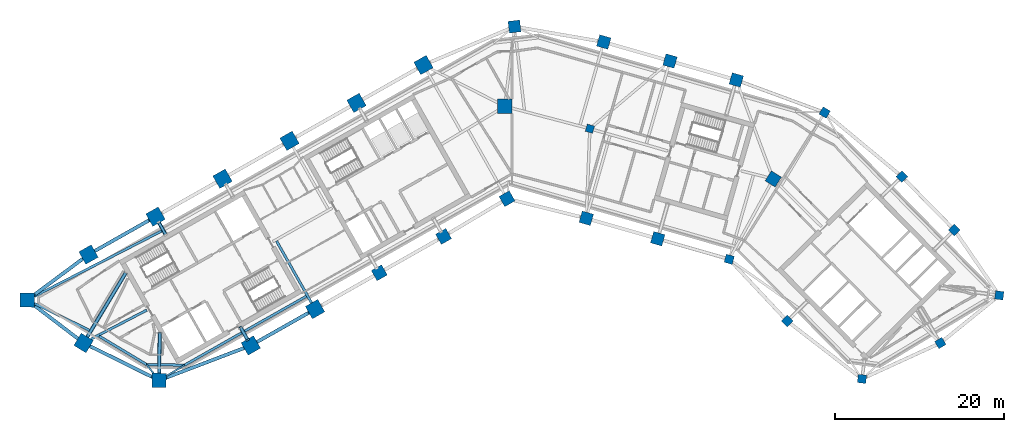
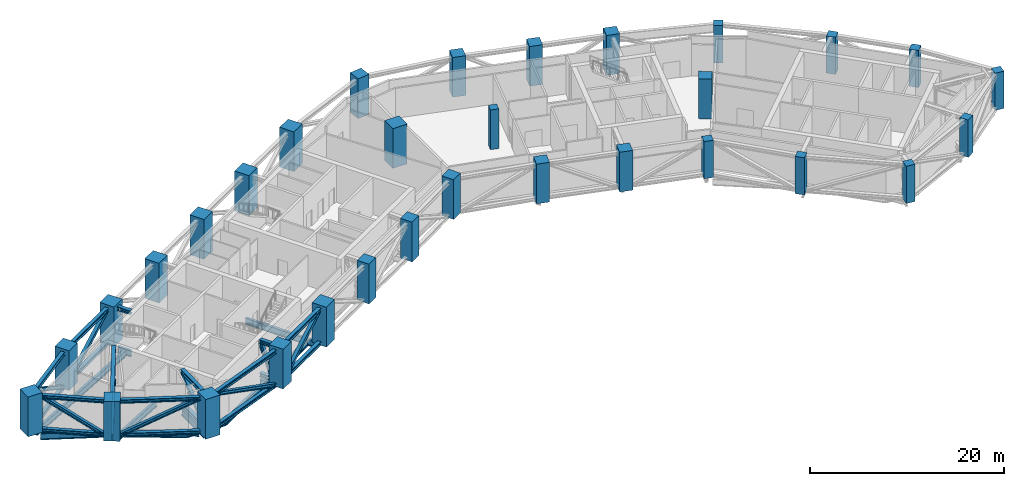
# One storey, part 1 of 16: 31 columns, 28 members, 15 beams.
"""IFC4 building model written with IfcOpenShell, lengths in metres."""

import ifcopenshell
import ifcopenshell.guid

model = None  # the IFC model being written
_history = None  # IfcOwnerHistory: only IFC2X3 demands one
_inside = {}  # id of a spatial element -> (the spatial element, [elements in it])
_under = {}  # id of a project, library or spatial element -> (it, [spatial elements below it])
_declared = {}  # id of a project -> (the project, [libraries it declares])
_typed = {}  # id of a type object -> (the type object, [elements of that type])
_made_of = {}  # id of a material, layer set ... -> (it, [elements and type objects made of it])


def new_model(schema):
    """Start an empty IFC model of exactly this schema.

    Asked for "IFC4X3", IfcOpenShell would pick the latest addendum, in which some entities
    have other attributes; the version numbers below select the first issue.
    IFC2X3 requires an IfcOwnerHistory on every rooted entity: one is made here for all.
    """
    global model, _history
    if schema == "IFC4X3":
        model = ifcopenshell.file(schema_version=(4, 3, 0, 0))
    else:
        model = ifcopenshell.file(schema=schema)
    _inside.clear()
    _under.clear()
    _declared.clear()
    _typed.clear()
    _made_of.clear()
    _history = None
    if model.schema == "IFC2X3":
        org = make("IfcOrganization", Name="unknown")
        user = make(
            "IfcPersonAndOrganization",
            ThePerson=make("IfcPerson", FamilyName="unknown"),
            TheOrganization=org,
        )
        app = make(
            "IfcApplication",
            ApplicationDeveloper=org,
            Version="unknown",
            ApplicationFullName="unknown",
            ApplicationIdentifier="unknown",
        )
        _history = make(
            "IfcOwnerHistory",
            OwningUser=user,
            OwningApplication=app,
            ChangeAction="ADDED",
            CreationDate=0,
        )
    return model


def make(cls, **values):
    """One entity of the class cls with the attributes given. An attribute that is None is left unset."""
    return model.create_entity(
        cls, **{name: value for name, value in values.items() if value is not None}
    )


def rooted(cls, **values):
    """An entity with a GlobalId (a new one), such as an element, a storey or a relation."""
    return make(cls, GlobalId=ifcopenshell.guid.new(), OwnerHistory=_history, **values)


def si_unit(unit_type, name, prefix=None):
    """IfcSIUnit, for example si_unit("LENGTHUNIT", "METRE", prefix="MILLI")."""
    return make("IfcSIUnit", UnitType=unit_type, Prefix=prefix, Name=name)


def assignment(units):
    """IfcUnitAssignment: the units of a project."""
    return None if units is None else make("IfcUnitAssignment", Units=units)


def point(xyz):
    """IfcCartesianPoint."""
    return None if xyz is None else make("IfcCartesianPoint", Coordinates=xyz)


def direction(xyz):
    """IfcDirection."""
    return None if xyz is None else make("IfcDirection", DirectionRatios=xyz)


def frame(location, z_axis=None, x_axis=None):
    """IfcAxis2Placement3D, a coordinate frame: its origin and axes. An axis left out is left unset."""
    return make(
        "IfcAxis2Placement3D",
        Location=point(location),
        Axis=direction(z_axis),
        RefDirection=direction(x_axis),
    )


def frame_2d(location, x_axis=None):
    """IfcAxis2Placement2D, a coordinate frame in the plane: its origin and x axis."""
    return make(
        "IfcAxis2Placement2D", Location=point(location), RefDirection=direction(x_axis)
    )


def origin():
    """The frame at (0, 0, 0) with its axes left unset."""
    return frame((0.0, 0.0, 0.0))


def origin_2d():
    """The frame at (0, 0) in the plane with its x axis left unset."""
    return frame_2d((0.0, 0.0))


def place(relative_to, where):
    """IfcLocalPlacement: puts the frame where relative to a parent placement (None: the world)."""
    return make(
        "IfcLocalPlacement", PlacementRelTo=relative_to, RelativePlacement=where
    )


def context(
    kind, dimensions, precision=None, world=None, true_north=None, identifier=None
):
    """IfcGeometricRepresentationContext, for example the 3D "Model" context."""
    return make(
        "IfcGeometricRepresentationContext",
        ContextIdentifier=identifier,
        ContextType=kind,
        CoordinateSpaceDimension=dimensions,
        Precision=precision,
        WorldCoordinateSystem=world,
        TrueNorth=true_north,
    )


def subcontext(parent, identifier, kind, view, scale=None):
    """IfcGeometricRepresentationSubContext, for example "Body" below "Model"."""
    return make(
        "IfcGeometricRepresentationSubContext",
        ContextIdentifier=identifier,
        ContextType=kind,
        ParentContext=parent,
        TargetScale=scale,
        TargetView=view,
    )


def project(units=None, contexts=None):
    """IfcProject with its units and contexts."""
    return rooted(
        "IfcProject",
        Name="project",
        RepresentationContexts=contexts,
        UnitsInContext=assignment(units),
    )


def spatial(cls, under=None, at=None, **own):
    """A site, building, storey or space (cls), placed at a placement, below another one or the project."""
    s = rooted(cls, ObjectPlacement=at, **own)
    if under is not None:
        _under.setdefault(under.id(), (under, []))[1].append(s)
    return s


def profile(cls, at=None, kind="AREA", **sizes):
    """A parametric profile (cls). Its sizes go by their IFC names, for example OverallWidth=200.0."""
    return make(cls, ProfileType=kind, Position=at, **sizes)


def rectangle(**sizes):
    """IfcRectangleProfileDef."""
    return profile("IfcRectangleProfileDef", **sizes)


def i_section(**sizes):
    """IfcIShapeProfileDef."""
    return profile("IfcIShapeProfileDef", **sizes)


def extrude(swept, where, along, depth):
    """IfcExtrudedAreaSolid: the profile swept, set in the frame where, extruded along a direction by depth."""
    return make(
        "IfcExtrudedAreaSolid",
        SweptArea=swept,
        Position=where,
        ExtrudedDirection=direction(along),
        Depth=depth,
    )


def shape(context_of_items, identifier, shape_type, items):
    """IfcShapeRepresentation: the items that make up one representation, for example the "Body"."""
    return make(
        "IfcShapeRepresentation",
        ContextOfItems=context_of_items,
        RepresentationIdentifier=identifier,
        RepresentationType=shape_type,
        Items=items,
    )


def material(Name=None, Category=None):
    """IfcMaterial."""
    return make("IfcMaterial", Name=Name, Category=Category)


def material_profile(
    of_material, cross_section, Name=None, Category=None, Priority=None
):
    """IfcMaterialProfile: a cross section and its material."""
    return make(
        "IfcMaterialProfile",
        Name=Name,
        Material=of_material,
        Profile=cross_section,
        Priority=Priority,
        Category=Category,
    )


def profile_set(profiles, Name=None, composite=None):
    """IfcMaterialProfileSet."""
    return make(
        "IfcMaterialProfileSet",
        Name=Name,
        MaterialProfiles=profiles,
        CompositeProfile=composite,
    )


def made_of(thing, what):
    """Note that an element or type object is made of a material, layer set ...; save() writes the relation."""
    if what is not None:
        _made_of.setdefault(what.id(), (what, []))[1].append(thing)
    return thing


def type_object(cls, material=None, **own):
    """A type object (cls), such as IfcWallType, which elements share."""
    return made_of(rooted(cls, **own), material)


def element(
    cls,
    number,
    at=None,
    inside=None,
    cuts=None,
    type_object=None,
    material=None,
    context=None,
    identifier="Body",
    shape_type=None,
    held_by="IfcProductDefinitionShape",
    body=None,
    shapes=None,
    **own,
):
    """One element of the class cls, such as IfcWall. Its Tag is "e" and its number.

    at: its placement. inside: the storey or other place that contains it. cuts: it is an
    opening in that element (IfcRelVoidsElement). A single representation is given by context,
    identifier, shape_type and body (its items); several are given by shapes. held_by: the class
    of the entity that holds the representations. save() writes the other relations.
    """
    e = rooted(cls, Tag="e%d" % number, ObjectPlacement=at, **own)
    if body is not None:
        shapes = [shape(context, identifier, shape_type, body)]
    if shapes is not None:
        e.Representation = make(held_by, Representations=shapes)
    if inside is not None:
        _inside.setdefault(inside.id(), (inside, []))[1].append(e)
    if cuts is not None:
        rooted(
            "IfcRelVoidsElement", RelatingBuildingElement=cuts, RelatedOpeningElement=e
        )
    if type_object is not None:
        _typed.setdefault(type_object.id(), (type_object, []))[1].append(e)
    return made_of(e, material)


def aggregate(whole, parts):
    """IfcRelAggregates: a whole, such as a stair, and the parts it consists of."""
    return rooted("IfcRelAggregates", RelatingObject=whole, RelatedObjects=parts)


def save(model, path):
    """Write the relations noted so far, then the file.

    IfcRelAggregates (storeys below a building ...), IfcRelContainedInSpatialStructure (elements
    in a storey), IfcRelDefinesByType, IfcRelAssociatesMaterial and IfcRelDeclares: one each for
    every whole, place, type object, material and project.
    """
    for whole, parts in _under.values():
        aggregate(whole, parts)
    for where, things in _inside.values():
        rooted(
            "IfcRelContainedInSpatialStructure",
            RelatedElements=things,
            RelatingStructure=where,
        )
    for kind, things in _typed.values():
        rooted("IfcRelDefinesByType", RelatedObjects=things, RelatingType=kind)
    for what, things in _made_of.values():
        rooted("IfcRelAssociatesMaterial", RelatedObjects=things, RelatingMaterial=what)
    for by, libraries in _declared.values():
        rooted("IfcRelDeclares", RelatingContext=by, RelatedDefinitions=libraries)
    model.write(path)


model = new_model("IFC4")

# Units and contexts
model_context = context("Model", 3, precision=1e-05, world=origin(), true_north=direction((0.0, 1.0)))
body_context = subcontext(model_context, "Body", "Model", "MODEL_VIEW")
ifc_project = project(units=[si_unit("LENGTHUNIT", "METRE"), si_unit("AREAUNIT", "SQUARE_METRE"), si_unit("VOLUMEUNIT", "CUBIC_METRE"), si_unit("PLANEANGLEUNIT", "RADIAN"), si_unit("MASSUNIT", "GRAM", prefix="KILO")], contexts=[model_context])

# Site, building, storey
site_placement = place(None, origin())
site = spatial("IfcSite", under=ifc_project, at=site_placement, CompositionType="ELEMENT")
building_placement = place(site_placement, origin())
building = spatial("IfcBuilding", under=site, at=building_placement, Name="Binnacle Exchange Tower", CompositionType="ELEMENT")
storey_placement = place(building_placement, frame((0.0, 0.0, 149.89990234375)))
storey = spatial("IfcBuildingStorey", under=building, at=storey_placement, Name="L31", CompositionType="ELEMENT", Elevation=149.89990234375)

# Columns
ifc_material_1 = material(Name="Concrete C60/75", Category="concrete")
ifc_material_profile_1 = material_profile(ifc_material_1, rectangle(XDim=0.89990234375, YDim=0.89990234375, at=origin_2d()), Name="Column 900x900 C60/75")
ifc_profile_set_1 = profile_set([ifc_material_profile_1], Name="Concrete C60/75")
column_type_1 = type_object("IfcColumnType", Name="Column 900x900 C60/75", PredefinedType="COLUMN", material=ifc_profile_set_1)
column_placement = place(storey_placement, frame((9.240966796875, 57.35009765625, 0.0), z_axis=(0.0, 0.0, 1.0), x_axis=(0.961261695938, -0.275637355817, 0.0)))
element("IfcColumn", 1, at=column_placement, inside=storey, type_object=column_type_1, Name="S:COL:C19:L31", PredefinedType="COLUMN", context=body_context, shape_type="SweptSolid", body=[
    extrude(rectangle(XDim=0.89990234375, YDim=0.89990234375, at=origin_2d()), origin(), (0.0, 0.0, 1.0), 5.0),
])
ifc_material_2 = material(Name="Concrete C70/85", Category="concrete")
ifc_material_profile_2 = material_profile(ifc_material_2, rectangle(XDim=1.0, YDim=1.0, at=origin_2d()), Name="Mega column 1000x1000 C70/85")
ifc_profile_set_2 = profile_set([ifc_material_profile_2], Name="Concrete C70/85")
column_type_2 = type_object("IfcColumnType", Name="Mega column 1000x1000 C70/85", PredefinedType="COLUMN", material=ifc_profile_set_2)
for number, where, z_axis, x_axis, name in (
    (2, (37.0849609375, 59.262451171875, 0.0), (0.0, 0.0, 1.0), (-0.859406411501, 0.511293086077, 0.0), "S:COL:MC57:L31"),
    (3, (25.766845703125, 41.85986328125, 0.0), (0.0, 0.0, 1.0), (0.961261695938, -0.275637355817, 0.0), "S:COL:MC56:L31"),
    (4, (32.64111328125, 34.530029296875, 0.0), (0.0, 0.0, 1.0), (0.7009092643, -0.713250449154, 0.0), "S:COL:MC59:L31"),
    (5, (41.519775390625, 27.6748046875, 0.0), (0.0, 0.0, 1.0), (0.99200494968, -0.126198969136, 0.0), "S:COL:MC61:L31"),
    (6, (50.81201171875, 31.930908203125, 0.0), (0.0, 0.0, 1.0), (0.857167300702, 0.51503807491, 0.0), "S:COL:MC63:L31"),
    (7, (57.799072265625, 37.5810546875, 0.0), (0.0, 0.0, 1.0), (0.126198969136, 0.99200494968, 0.0), "S:COL:MC62:L31"),
    (8, (52.466796875, 45.33935546875, 0.0), (0.0, 0.0, 1.0), (-0.7009092643, 0.713250449154, 0.0), "S:COL:MC60:L31"),
    (9, (46.248291015625, 51.667236328125, 0.0), (0.0, 0.0, 1.0), (-0.7009092643, 0.713250449154, 0.0), "S:COL:MC58:L31"),
):
    element("IfcColumn", number, at=place(storey_placement, frame(where, z_axis=z_axis, x_axis=x_axis)), inside=storey, type_object=column_type_2, Name=name, PredefinedType="COLUMN", context=body_context, shape_type="SweptSolid", body=[
        extrude(rectangle(XDim=1.0, YDim=1.0, at=origin_2d()), origin(), (0.0, 0.0, 1.0), 4.68017578125),
    ])
ifc_material_profile_3 = material_profile(ifc_material_2, rectangle(XDim=1.39990234375, YDim=1.39990234375, at=origin_2d()), Name="Mega column 1400x1400 C70/85")
ifc_profile_set_3 = profile_set([ifc_material_profile_3], Name="Concrete C70/85")
column_type_3 = type_object("IfcColumnType", Name="Mega column 1400x1400 C70/85", PredefinedType="COLUMN", material=ifc_profile_set_3)
for number, where, z_axis, x_axis, name in (
    (10, (26.602783203125, 63.12353515625, 0.0), (0.0, 0.0, 1.0), (-0.961261695938, 0.275637355817, 0.0), "S:COL:MC52:L31"),
    (11, (18.746337890625, 65.376220703125, 0.0), (0.0, 0.0, 1.0), (-0.961261695938, 0.275637355817, 0.0), "S:COL:MC50:L31"),
    (12, (10.889892578125, 67.62890625, 0.0), (0.0, 0.0, 1.0), (-0.961261695938, 0.275637355817, 0.0), "S:COL:MC48:L31"),
    (13, (0.300048828125, 69.464111328125, 0.0), (0.0, 0.0, 1.0), (-0.993068456955, -0.117537397458, 0.0), "S:COL:MC47:L31"),
    (14, (-15.736328125, 40.257080078125, 0.0), (0.0, 0.0, 1.0), (0.87035569594, 0.492423560103, 0.0), "S:COL:MC24:L31"),
    (15, (-8.116943359375, 44.568115234375, 0.0), (0.0, 0.0, 1.0), (0.87035569594, 0.492423560103, 0.0), "S:COL:MC35:L31"),
    (16, (-0.5908203125, 49.04443359375, 0.0), (0.0, 0.0, 1.0), (0.87035569594, 0.492423560103, 0.0), "S:COL:MC46:L31"),
    (17, (8.8095703125, 46.722412109375, 0.0), (0.0, 0.0, 1.0), (0.961261695938, -0.275637355817, 0.0), "S:COL:MC49:L31"),
    (18, (17.2880859375, 44.291015625, 0.0), (0.0, 0.0, 1.0), (0.961261695938, -0.275637355817, 0.0), "S:COL:MC51:L31"),
    (19, (30.989501953125, 51.38623046875, 0.0), (0.0, 0.0, 1.0), (0.529919264233, 0.848048096156, 0.0), "S:COL:MC55:L31"),
):
    element("IfcColumn", number, at=place(storey_placement, frame(where, z_axis=z_axis, x_axis=x_axis)), inside=storey, type_object=column_type_3, Name=name, PredefinedType="COLUMN", context=body_context, shape_type="SweptSolid", body=[
        extrude(rectangle(XDim=1.39990234375, YDim=1.39990234375, at=origin_2d()), origin(), (0.0, 0.0, 1.0), 5.0),
    ])
ifc_material_profile_4 = material_profile(ifc_material_2, rectangle(XDim=1.699951171875, YDim=1.699951171875, at=origin_2d()), Name="Mega column 1700x1700 C70/85")
ifc_profile_set_4 = profile_set([ifc_material_profile_4], Name="Concrete C70/85")
column_type_4 = type_object("IfcColumnType", Name="Mega column 1700x1700 C70/85", PredefinedType="COLUMN", material=ifc_profile_set_4)
for number, where, z_axis, x_axis, name in (
    (20, (-10.4951171875, 64.901611328125, 0.0), (0.0, 0.0, 1.0), (-0.87035569594, -0.492423560103, 0.0), "S:COL:MC38:L31"),
    (21, (-18.44140625, 60.406005859375, 0.0), (0.0, 0.0, 1.0), (-0.87035569594, -0.492423560103, 0.0), "S:COL:MC29:L31"),
    (22, (-26.3876953125, 55.91015625, 0.0), (0.0, 0.0, 1.0), (-0.87035569594, -0.492423560103, 0.0), "S:COL:MC21:L31"),
    (23, (-34.333740234375, 51.414306640625, 0.0), (0.0, 0.0, 1.0), (-0.87035569594, -0.492423560103, 0.0), "S:COL:MC13:L31"),
    (24, (-42.280029296875, 46.918701171875, 0.0), (0.0, 0.0, 1.0), (-0.87035569594, -0.492423560103, 0.0), "S:COL:MC08:L31"),
    (25, (-50.226318359375, 42.4228515625, 0.0), (0.0, 0.0, 1.0), (-0.87035569594, -0.492423560103, 0.0), "S:COL:MC04:L31"),
    (26, (-57.492919921875, 37.02734375, 0.0), (0.0, 0.0, 1.0), (-0.013089595571, -0.999914327574, 0.0), "S:COL:MC02:L31"),
    (27, (-50.81201171875, 31.930908203125, 0.0), (0.0, 0.0, 1.0), (0.857167300702, -0.51503807491, 0.0), "S:COL:MC01:L31"),
    (28, (-41.857666015625, 27.494873046875, 0.0), (0.0, 0.0, 1.0), (0.999914327574, -0.013089595571, 0.0), "S:COL:MC03:L31"),
    (29, (-30.9755859375, 31.63525390625, 0.0), (0.0, 0.0, 1.0), (0.87035569594, 0.492423560103, 0.0), "S:COL:MC07:L31"),
    (30, (-23.35595703125, 35.9462890625, 0.0), (0.0, 0.0, 1.0), (0.87035569594, 0.492423560103, 0.0), "S:COL:MC16:L31"),
    (31, (-0.85009765625, 60.0, 0.0), (0.0, 0.0, 1.0), (0.0, 1.0, 0.0), "S:COL:MC45:L31"),
):
    element("IfcColumn", number, at=place(storey_placement, frame(where, z_axis=z_axis, x_axis=x_axis)), inside=storey, type_object=column_type_4, Name=name, PredefinedType="COLUMN", context=body_context, shape_type="SweptSolid", body=[
        extrude(rectangle(XDim=1.699951171875, YDim=1.699951171875, at=origin_2d()), origin(), (0.0, 0.0, 1.0), 5.0),
    ])

# Members
ifc_material_3 = material(Name="Steel S460 (SHN460)", Category="steel")
ifc_material_profile_5 = material_profile(ifc_material_3, i_section(OverallWidth=0.4169921875, OverallDepth=0.4580078125, WebThickness=0.030029296875, FlangeThickness=0.050048828125, FilletRadius=0.02197265625, at=origin_2d()), Name="H 458x417x30x50")
ifc_profile_set_5 = profile_set([ifc_material_profile_5], Name="Steel S460 (SHN460)")
member_type_1 = type_object("IfcMemberType", Name="Belt truss chord BT31C H 458x417x30x50 Steel S460 (SHN460)", PredefinedType="CHORD", material=ifc_profile_set_5)
for number, where, z_axis, x_axis, name in (
    (32, (-43.019775390625, 46.5, 4.451171875), (-0.870364477798, -0.492408037898, 0.0), (0.492408037898, -0.870364477798, 0.0), "S:TR:L31:BEL:028"),
    (33, (-43.019775390625, 46.5, 0.22900390625), (-0.870364477798, -0.492408037898, 0.0), (0.492408037898, -0.870364477798, 0.0), "S:TR:L31:BEL:029"),
):
    element("IfcMember", number, at=place(storey_placement, frame(where, z_axis=z_axis, x_axis=x_axis)), inside=storey, type_object=member_type_1, Name=name, PredefinedType="CHORD", context=body_context, shape_type="SweptSolid", body=[
        extrude(i_section(OverallWidth=0.4169921875, OverallDepth=0.4580078125, WebThickness=0.030029296875, FlangeThickness=0.050048828125, FilletRadius=0.02197265625, at=origin_2d()), origin(), (0.0, 0.0, 1.0), 7.4296875),
    ])
for number, where, z_axis, x_axis, name in (
    (34, (-50.913818359375, 41.912353515625, 4.451171875), (-0.80288535334, -0.59613346609, 0.0), (0.59613346609, -0.80288535334, 0.0), "S:TR:L31:BEL:031"),
    (35, (-50.913818359375, 41.912353515625, 0.22900390625), (-0.80288535334, -0.59613346609, 0.0), (0.59613346609, -0.80288535334, 0.0), "S:TR:L31:BEL:032"),
):
    element("IfcMember", number, at=place(storey_placement, frame(where, z_axis=z_axis, x_axis=x_axis)), inside=storey, type_object=member_type_1, Name=name, PredefinedType="CHORD", context=body_context, shape_type="SweptSolid", body=[
        extrude(i_section(OverallWidth=0.4169921875, OverallDepth=0.4580078125, WebThickness=0.030029296875, FlangeThickness=0.050048828125, FilletRadius=0.02197265625, at=origin_2d()), origin(), (0.0, 0.0, 1.0), 7.125244140625),
    ])
for number, where, z_axis, x_axis, name in (
    (36, (-56.6513671875, 36.38525390625, 4.451171875), (0.795093040263, -0.606487474994, 0.0), (0.606487474994, 0.795093040263, 0.0), "S:TR:L31:BEL:034"),
    (37, (-56.6513671875, 36.38525390625, 0.22900390625), (0.795093040263, -0.606487474994, 0.0), (0.606487474994, 0.795093040263, 0.0), "S:TR:L31:BEL:035"),
):
    element("IfcMember", number, at=place(storey_placement, frame(where, z_axis=z_axis, x_axis=x_axis)), inside=storey, type_object=member_type_1, Name=name, PredefinedType="CHORD", context=body_context, shape_type="SweptSolid", body=[
        extrude(i_section(OverallWidth=0.4169921875, OverallDepth=0.4580078125, WebThickness=0.030029296875, FlangeThickness=0.050048828125, FilletRadius=0.02197265625, at=origin_2d()), origin(), (0.0, 0.0, 1.0), 6.489013671875),
    ])
for number, where, z_axis, x_axis, name in (
    (38, (-50.0478515625, 31.55224609375, 4.451171875), (0.896059216286, -0.443934545749, 0.0), (0.443934545749, 0.896059216286, 0.0), "S:TR:L31:BEL:037"),
    (39, (-50.0478515625, 31.55224609375, 0.22900390625), (0.896059216286, -0.443934545749, 0.0), (0.443934545749, 0.896059216286, 0.0), "S:TR:L31:BEL:038"),
):
    element("IfcMember", number, at=place(storey_placement, frame(where, z_axis=z_axis, x_axis=x_axis)), inside=storey, type_object=member_type_1, Name=name, PredefinedType="CHORD", context=body_context, shape_type="SweptSolid", body=[
        extrude(i_section(OverallWidth=0.4169921875, OverallDepth=0.4580078125, WebThickness=0.030029296875, FlangeThickness=0.050048828125, FilletRadius=0.02197265625, at=origin_2d()), origin(), (0.0, 0.0, 1.0), 8.197509765625),
    ])
for number, where, z_axis, x_axis, name in (
    (40, (-41.00341796875, 27.81982421875, 4.451171875), (0.934628738252, 0.355624973297, 0.0), (-0.355624973297, 0.934628738252, 0.0), "S:TR:L31:BEL:040"),
    (41, (-41.00341796875, 27.81982421875, 0.22900390625), (0.934628738252, 0.355624973297, 0.0), (-0.355624973297, 0.934628738252, 0.0), "S:TR:L31:BEL:041"),
):
    element("IfcMember", number, at=place(storey_placement, frame(where, z_axis=z_axis, x_axis=x_axis)), inside=storey, type_object=member_type_1, Name=name, PredefinedType="CHORD", context=body_context, shape_type="SweptSolid", body=[
        extrude(i_section(OverallWidth=0.4169921875, OverallDepth=0.4580078125, WebThickness=0.030029296875, FlangeThickness=0.050048828125, FilletRadius=0.02197265625, at=origin_2d()), origin(), (0.0, 0.0, 1.0), 9.869384765625),
    ])
for number, where, z_axis, x_axis, name in (
    (42, (-30.23583984375, 32.053955078125, 4.451171875), (0.870373276953, 0.492392484473, 0.0), (-0.492392484473, 0.870373276953, 0.0), "S:TR:L31:BEL:043"),
    (43, (-30.23583984375, 32.053955078125, 0.22900390625), (0.870373276953, 0.492392484473, 0.0), (-0.492392484473, 0.870373276953, 0.0), "S:TR:L31:BEL:044"),
):
    element("IfcMember", number, at=place(storey_placement, frame(where, z_axis=z_axis, x_axis=x_axis)), inside=storey, type_object=member_type_1, Name=name, PredefinedType="CHORD", context=body_context, shape_type="SweptSolid", body=[
        extrude(i_section(OverallWidth=0.4169921875, OverallDepth=0.4580078125, WebThickness=0.030029296875, FlangeThickness=0.050048828125, FilletRadius=0.02197265625, at=origin_2d()), origin(), (0.0, 0.0, 1.0), 7.0546875),
    ])
ifc_material_4 = material(Name="Steel S355 (SHN355)", Category="steel")
ifc_material_profile_6 = material_profile(ifc_material_4, i_section(OverallWidth=0.403076171875, OverallDepth=0.406005859375, WebThickness=0.01611328125, FlangeThickness=0.02392578125, FilletRadius=0.02197265625, at=origin_2d()), Name="H 406x403x16x24")
ifc_profile_set_6 = profile_set([ifc_material_profile_6], Name="Steel S355 (SHN355)")
member_type_2 = type_object("IfcMemberType", Name="Belt truss diagonal BT31D H 406x403x16x24 Steel S355 (SHN355)", PredefinedType="BRACE", material=ifc_profile_set_6)
member_1_placement = place(storey_placement, frame((-43.019775390625, 46.5, 4.451171875), z_axis=(-0.756711564244, -0.428108988946, -0.494075198854), x_axis=(0.492408037898, -0.870364477798, 0.0)))
element("IfcMember", 44, at=member_1_placement, inside=storey, type_object=member_type_2, Name="S:TR:L31:BEL:030", PredefinedType="BRACE", context=body_context, shape_type="SweptSolid", body=[
    extrude(i_section(OverallWidth=0.403076171875, OverallDepth=0.406005859375, WebThickness=0.01611328125, FlangeThickness=0.02392578125, FilletRadius=0.02197265625, at=origin_2d()), origin(), (0.0, 0.0, 1.0), 8.545654296875),
])
member_2_placement = place(storey_placement, frame((-50.913818359375, 41.912353515625, 0.22900390625), z_axis=(-0.690722328116, -0.512853664415, 0.50978797979), x_axis=(0.59613346609, -0.80288535334, 0.0)))
element("IfcMember", 45, at=member_2_placement, inside=storey, type_object=member_type_2, Name="S:TR:L31:BEL:033", PredefinedType="BRACE", context=body_context, shape_type="SweptSolid", body=[
    extrude(i_section(OverallWidth=0.403076171875, OverallDepth=0.406005859375, WebThickness=0.01611328125, FlangeThickness=0.02392578125, FilletRadius=0.02197265625, at=origin_2d()), origin(), (0.0, 0.0, 1.0), 8.2822265625),
])
member_3_placement = place(storey_placement, frame((-56.6513671875, 36.38525390625, 4.451171875), z_axis=(0.666440473063, -0.508352833283, -0.545375552035), x_axis=(0.606487474994, 0.795093040263, 0.0)))
element("IfcMember", 46, at=member_3_placement, inside=storey, type_object=member_type_2, Name="S:TR:L31:BEL:036", PredefinedType="BRACE", context=body_context, shape_type="SweptSolid", body=[
    extrude(i_section(OverallWidth=0.403076171875, OverallDepth=0.406005859375, WebThickness=0.01611328125, FlangeThickness=0.02392578125, FilletRadius=0.02197265625, at=origin_2d()), origin(), (0.0, 0.0, 1.0), 7.74169921875),
])
member_4_placement = place(storey_placement, frame((-50.0478515625, 31.55224609375, 0.22900390625), z_axis=(0.796605268667, -0.394662084447, 0.457888507207), x_axis=(0.443934545749, 0.896059216286, 0.0)))
element("IfcMember", 47, at=member_4_placement, inside=storey, type_object=member_type_2, Name="S:TR:L31:BEL:039", PredefinedType="BRACE", context=body_context, shape_type="SweptSolid", body=[
    extrude(i_section(OverallWidth=0.403076171875, OverallDepth=0.406005859375, WebThickness=0.01611328125, FlangeThickness=0.02392578125, FilletRadius=0.02197265625, at=origin_2d()), origin(), (0.0, 0.0, 1.0), 9.220947265625),
])
member_5_placement = place(storey_placement, frame((-41.00341796875, 27.81982421875, 4.451171875), z_axis=(0.85929647583, 0.326961149133, -0.393326802525), x_axis=(-0.355624973297, 0.934628738252, 0.0)))
element("IfcMember", 48, at=member_5_placement, inside=storey, type_object=member_type_2, Name="S:TR:L31:BEL:042", PredefinedType="BRACE", context=body_context, shape_type="SweptSolid", body=[
    extrude(i_section(OverallWidth=0.403076171875, OverallDepth=0.406005859375, WebThickness=0.01611328125, FlangeThickness=0.02392578125, FilletRadius=0.02197265625, at=origin_2d()), origin(), (0.0, 0.0, 1.0), 10.734619140625),
])
member_6_placement = place(storey_placement, frame((-30.23583984375, 32.053955078125, 0.22900390625), z_axis=(0.746833218189, 0.422502704906, 0.513548058663), x_axis=(-0.492392484473, 0.870373276953, 0.0)))
element("IfcMember", 49, at=member_6_placement, inside=storey, type_object=member_type_2, Name="S:TR:L31:BEL:045", PredefinedType="BRACE", context=body_context, shape_type="SweptSolid", body=[
    extrude(i_section(OverallWidth=0.403076171875, OverallDepth=0.406005859375, WebThickness=0.01611328125, FlangeThickness=0.02392578125, FilletRadius=0.02197265625, at=origin_2d()), origin(), (0.0, 0.0, 1.0), 8.2216796875),
])

# Beams
ifc_material_profile_7 = material_profile(ifc_material_4, i_section(OverallWidth=0.300048828125, OverallDepth=0.800048828125, WebThickness=0.013916015625, FlangeThickness=0.02587890625, FilletRadius=0.028076171875, at=origin_2d()), Name="H 800x300x14x26")
ifc_profile_set_7 = profile_set([ifc_material_profile_7], Name="Steel S355 (SHN355)")
beam_type_1 = type_object("IfcBeamType", Name="Edge girder H 800x300x14x26 Steel S355 (SHN355)", PredefinedType="SPANDREL", material=ifc_profile_set_7)
beam_1_placement = place(storey_placement, frame((-56.63720703125, 37.46728515625, -0.75), z_axis=(0.889439328873, 0.457053257569, 0.0), x_axis=(-0.457053257569, 0.889439328873, 0.0)))
element("IfcBeam", 50, at=beam_1_placement, inside=storey, type_object=beam_type_1, Name="S:BM:edge:L31:015", PredefinedType="SPANDREL", context=body_context, shape_type="SweptSolid", body=[
    extrude(i_section(OverallWidth=0.300048828125, OverallDepth=0.800048828125, WebThickness=0.013916015625, FlangeThickness=0.02587890625, FilletRadius=0.028076171875, at=origin_2d()), origin(), (0.0, 0.0, 1.0), 17.013671875),
])
beam_2_placement = place(storey_placement, frame((-50.091064453125, 33.422607421875, -0.75), z_axis=(-0.899051365791, 0.437843170175, 0.0), x_axis=(-0.437843170175, -0.899051365791, 0.0)))
element("IfcBeam", 51, at=beam_2_placement, inside=storey, type_object=beam_type_1, Name="S:BM:edge:L31:016", PredefinedType="SPANDREL", context=body_context, shape_type="SweptSolid", body=[
    extrude(i_section(OverallWidth=0.300048828125, OverallDepth=0.800048828125, WebThickness=0.013916015625, FlangeThickness=0.02587890625, FilletRadius=0.028076171875, at=origin_2d()), origin(), (0.0, 0.0, 1.0), 7.29345703125),
])
beam_3_placement = place(storey_placement, frame((-43.336669921875, 29.364013671875, -0.75), z_axis=(-0.857145124405, 0.515074980667, 0.0), x_axis=(-0.515074980667, -0.857145124405, 0.0)))
element("IfcBeam", 52, at=beam_3_placement, inside=storey, type_object=beam_type_1, Name="S:BM:edge:L31:017", PredefinedType="SPANDREL", context=body_context, shape_type="SweptSolid", body=[
    extrude(i_section(OverallWidth=0.300048828125, OverallDepth=0.800048828125, WebThickness=0.013916015625, FlangeThickness=0.02587890625, FilletRadius=0.028076171875, at=origin_2d()), origin(), (0.0, 0.0, 1.0), 6.569091796875),
])
beam_4_placement = place(storey_placement, frame((-41.983642578125, 29.346435546875, -0.75), z_axis=(-0.99991561855, 0.012990603489, 0.0), x_axis=(-0.012990603489, -0.99991561855, 0.0)))
element("IfcBeam", 53, at=beam_4_placement, inside=storey, type_object=beam_type_1, Name="S:BM:edge:L31:018", PredefinedType="SPANDREL", context=body_context, shape_type="SweptSolid", body=[
    extrude(i_section(OverallWidth=0.300048828125, OverallDepth=0.800048828125, WebThickness=0.013916015625, FlangeThickness=0.02587890625, FilletRadius=0.028076171875, at=origin_2d()), origin(), (0.0, 0.0, 1.0), 1.35302734375),
])
beam_5_placement = place(storey_placement, frame((-38.830810546875, 29.30517578125, -0.75), z_axis=(-0.999914303068, 0.013091467428, 0.0), x_axis=(-0.013091467428, -0.999914303068, 0.0)))
element("IfcBeam", 54, at=beam_5_placement, inside=storey, type_object=beam_type_1, Name="S:BM:edge:L31:020", PredefinedType="SPANDREL", context=body_context, shape_type="SweptSolid", body=[
    extrude(i_section(OverallWidth=0.300048828125, OverallDepth=0.800048828125, WebThickness=0.013916015625, FlangeThickness=0.02587890625, FilletRadius=0.028076171875, at=origin_2d()), origin(), (0.0, 0.0, 1.0), 2.853271484375),
])
beam_6_placement = place(storey_placement, frame((-32.0126953125, 33.16259765625, -0.75), z_axis=(-0.870360188898, -0.492415618742, 0.0), x_axis=(0.492415618742, -0.870360188898, 0.0)))
element("IfcBeam", 55, at=beam_6_placement, inside=storey, type_object=beam_type_1, Name="S:BM:edge:L31:022", PredefinedType="SPANDREL", context=body_context, shape_type="SweptSolid", body=[
    extrude(i_section(OverallWidth=0.300048828125, OverallDepth=0.800048828125, WebThickness=0.013916015625, FlangeThickness=0.02587890625, FilletRadius=0.028076171875, at=origin_2d()), origin(), (0.0, 0.0, 1.0), 7.833740234375),
])
beam_7_placement = place(storey_placement, frame((-24.392578125, 37.473876953125, -0.75), z_axis=(-0.870349793829, -0.492433991904, 0.0), x_axis=(0.492433991904, -0.870349793829, 0.0)))
element("IfcBeam", 56, at=beam_7_placement, inside=storey, type_object=beam_type_1, Name="S:BM:edge:L31:024", PredefinedType="SPANDREL", context=body_context, shape_type="SweptSolid", body=[
    extrude(i_section(OverallWidth=0.300048828125, OverallDepth=0.800048828125, WebThickness=0.013916015625, FlangeThickness=0.02587890625, FilletRadius=0.028076171875, at=origin_2d()), origin(), (0.0, 0.0, 1.0), 8.455078125),
])
ifc_material_profile_8 = material_profile(ifc_material_4, i_section(OverallWidth=0.199951171875, OverallDepth=0.39990234375, WebThickness=0.008056640625, FlangeThickness=0.012939453125, FilletRadius=0.01611328125, at=origin_2d()), Name="H 400x200x8x13")
ifc_profile_set_8 = profile_set([ifc_material_profile_8], Name="Steel S355 (SHN355)")
beam_type_2 = type_object("IfcBeamType", Name="Floor beam H 400x200x8x13 Steel S355 (SHN355)", PredefinedType="BEAM", material=ifc_profile_set_8)
beam_8_placement = place(storey_placement, frame((-42.537109375, 28.353759765625, -0.5498046875), z_axis=(-0.62059615807, 0.784130351784, 0.0), x_axis=(-0.784130351784, -0.62059615807, 0.0)))
element("IfcBeam", 57, at=beam_8_placement, inside=storey, type_object=beam_type_2, Name="S:BM:cross:L31:052", PredefinedType="BEAM", context=body_context, shape_type="SweptSolid", body=[
    extrude(i_section(OverallWidth=0.199951171875, OverallDepth=0.39990234375, WebThickness=0.008056640625, FlangeThickness=0.012939453125, FilletRadius=0.01611328125, at=origin_2d()), origin(), (0.0, 0.0, 1.0), 1.288330078125),
])
beam_9_placement = place(storey_placement, frame((-41.0009765625, 28.007080078125, -0.5498046875), z_axis=(0.858190668609, 0.513331059174, 0.0), x_axis=(-0.513331059174, 0.858190668609, 0.0)))
element("IfcBeam", 58, at=beam_9_placement, inside=storey, type_object=beam_type_2, Name="S:BM:cross:L31:055", PredefinedType="BEAM", context=body_context, shape_type="SweptSolid", body=[
    extrude(i_section(OverallWidth=0.199951171875, OverallDepth=0.39990234375, WebThickness=0.008056640625, FlangeThickness=0.012939453125, FilletRadius=0.01611328125, at=origin_2d()), origin(), (0.0, 0.0, 1.0), 2.52880859375),
])
ifc_material_profile_9 = material_profile(ifc_material_4, i_section(OverallWidth=0.300048828125, OverallDepth=0.800048828125, WebThickness=0.013916015625, FlangeThickness=0.02587890625, FilletRadius=0.028076171875, at=origin_2d()), Name="H 800x300x14x26")
ifc_profile_set_9 = profile_set([ifc_material_profile_9], Name="Steel S355 (SHN355)")
beam_type_3 = type_object("IfcBeamType", Name="Floor beam H 800x300x14x26 Steel S355 (SHN355)", PredefinedType="BEAM", material=ifc_profile_set_9)
beam_10_placement = place(storey_placement, frame((-41.861328125, 46.178955078125, -0.75), z_axis=(0.492366981934, -0.870387703901, 0.0), x_axis=(0.870387703901, 0.492366981934, 0.0)))
element("IfcBeam", 59, at=beam_10_placement, inside=storey, type_object=beam_type_3, Name="S:BM:cross:L31:053", PredefinedType="BEAM", context=body_context, shape_type="SweptSolid", body=[
    extrude(i_section(OverallWidth=0.300048828125, OverallDepth=0.800048828125, WebThickness=0.013916015625, FlangeThickness=0.02587890625, FilletRadius=0.028076171875, at=origin_2d()), origin(), (0.0, 0.0, 1.0), 1.584228515625),
])
beam_11_placement = place(storey_placement, frame((-41.8466796875, 28.3447265625, -0.75), z_axis=(0.013120628196, 0.999913920853, 0.0), x_axis=(-0.999913920853, 0.013120628196, 0.0)))
element("IfcBeam", 60, at=beam_11_placement, inside=storey, type_object=beam_type_3, Name="S:BM:cross:L31:054", PredefinedType="BEAM", context=body_context, shape_type="SweptSolid", body=[
    extrude(i_section(OverallWidth=0.300048828125, OverallDepth=0.800048828125, WebThickness=0.013916015625, FlangeThickness=0.02587890625, FilletRadius=0.028076171875, at=origin_2d()), origin(), (0.0, 0.0, 1.0), 4.80078125),
])
beam_12_placement = place(storey_placement, frame((-31.394287109375, 32.375, -0.75), z_axis=(-0.492366981934, 0.870387703901, 0.0), x_axis=(-0.870387703901, -0.492366981934, 0.0)))
element("IfcBeam", 61, at=beam_12_placement, inside=storey, type_object=beam_type_3, Name="S:BM:cross:L31:057", PredefinedType="BEAM", context=body_context, shape_type="SweptSolid", body=[
    extrude(i_section(OverallWidth=0.300048828125, OverallDepth=0.800048828125, WebThickness=0.013916015625, FlangeThickness=0.02587890625, FilletRadius=0.028076171875, at=origin_2d()), origin(), (0.0, 0.0, 1.0), 1.584228515625),
])
ifc_material_profile_10 = material_profile(ifc_material_4, i_section(OverallWidth=0.302001953125, OverallDepth=0.80810546875, WebThickness=0.01611328125, FlangeThickness=0.030029296875, FilletRadius=0.028076171875, at=origin_2d()), Name="H 808x302x16x30")
ifc_profile_set_10 = profile_set([ifc_material_profile_10], Name="Steel S355 (SHN355)")
beam_type_4 = type_object("IfcBeamType", Name="Floor beam H 808x302x16x30 Steel S355 (SHN355)", PredefinedType="BEAM", material=ifc_profile_set_10)
beam_13_placement = place(storey_placement, frame((-50.374267578125, 32.659423828125, -0.75390625), z_axis=(0.515042389499, 0.857164708221, 0.0), x_axis=(-0.857164708221, 0.515042389499, 0.0)))
element("IfcBeam", 62, at=beam_13_placement, inside=storey, type_object=beam_type_4, Name="S:BM:cross:L31:051", PredefinedType="BEAM", context=body_context, shape_type="SweptSolid", body=[
    extrude(i_section(OverallWidth=0.302001953125, OverallDepth=0.80810546875, WebThickness=0.01611328125, FlangeThickness=0.030029296875, FilletRadius=0.028076171875, at=origin_2d()), origin(), (0.0, 0.0, 1.0), 8.865234375),
])
beam_14_placement = place(storey_placement, frame((-23.774658203125, 36.68603515625, -0.75390625), z_axis=(-0.492409177884, 0.870363832851, 0.0), x_axis=(-0.870363832851, -0.492409177884, 0.0)))
element("IfcBeam", 63, at=beam_14_placement, inside=storey, type_object=beam_type_4, Name="S:BM:cross:L31:059", PredefinedType="BEAM", context=body_context, shape_type="SweptSolid", body=[
    extrude(i_section(OverallWidth=0.302001953125, OverallDepth=0.80810546875, WebThickness=0.01611328125, FlangeThickness=0.030029296875, FilletRadius=0.028076171875, at=origin_2d()), origin(), (0.0, 0.0, 1.0), 8.43408203125),
])

# Members
ifc_material_profile_11 = material_profile(ifc_material_3, i_section(OverallWidth=0.431884765625, OverallDepth=0.498046875, WebThickness=0.044921875, FlangeThickness=0.070068359375, FilletRadius=0.02197265625, at=origin_2d()), Name="H 498x432x45x70")
ifc_profile_set_11 = profile_set([ifc_material_profile_11], Name="Steel S460 (SHN460)")
member_type_3 = type_object("IfcMemberType", Name="Outrigger truss chord OT31C H 498x432x45x70 Steel S460 (SHN460)", PredefinedType="CHORD", material=ifc_profile_set_11)
for number, where, z_axis, x_axis, name in (
    (64, (-50.374267578125, 32.659423828125, 4.43115234375), (0.515024532105, 0.857175437895, 0.0), (-0.857175437895, 0.515024532105, 0.0), "S:TR:L31:OUT:085"),
    (65, (-50.374267578125, 32.659423828125, 0.2490234375), (0.515024532105, 0.857175437895, 0.0), (-0.857175437895, 0.515024532105, 0.0), "S:TR:L31:OUT:086"),
):
    element("IfcMember", number, at=place(storey_placement, frame(where, z_axis=z_axis, x_axis=x_axis)), inside=storey, type_object=member_type_3, Name=name, PredefinedType="CHORD", context=body_context, shape_type="SweptSolid", body=[
        extrude(i_section(OverallWidth=0.431884765625, OverallDepth=0.498046875, WebThickness=0.044921875, FlangeThickness=0.070068359375, FilletRadius=0.02197265625, at=origin_2d()), origin(), (0.0, 0.0, 1.0), 8.8251953125),
    ])
member_7_placement = place(storey_placement, frame((-41.861328125, 46.178955078125, 4.43115234375), z_axis=(0.492286444757, -0.870433257814, 0.0), x_axis=(0.870433257814, 0.492286444757, 0.0)))
element("IfcMember", 66, at=member_7_placement, inside=storey, type_object=member_type_3, Name="S:TR:L31:OUT:088", PredefinedType="CHORD", context=body_context, shape_type="SweptSolid", body=[
    extrude(i_section(OverallWidth=0.431884765625, OverallDepth=0.498046875, WebThickness=0.044921875, FlangeThickness=0.070068359375, FilletRadius=0.02197265625, at=origin_2d()), origin(), (0.0, 0.0, 1.0), 1.54443359375),
])
for number, where, z_axis, x_axis, name in (
    (67, (-41.8466796875, 28.3447265625, 4.43115234375), (0.013128420225, 0.999913818578, 0.0), (-0.999913818578, 0.013128420225, 0.0), "S:TR:L31:OUT:091"),
    (68, (-41.8466796875, 28.3447265625, 0.2490234375), (0.013128420225, 0.999913818578, 0.0), (-0.999913818578, 0.013128420225, 0.0), "S:TR:L31:OUT:092"),
):
    element("IfcMember", number, at=place(storey_placement, frame(where, z_axis=z_axis, x_axis=x_axis)), inside=storey, type_object=member_type_3, Name=name, PredefinedType="CHORD", context=body_context, shape_type="SweptSolid", body=[
        extrude(i_section(OverallWidth=0.431884765625, OverallDepth=0.498046875, WebThickness=0.044921875, FlangeThickness=0.070068359375, FilletRadius=0.02197265625, at=origin_2d()), origin(), (0.0, 0.0, 1.0), 4.7607421875),
    ])
for number, where, z_axis, x_axis, name in (
    (69, (-31.394287109375, 32.375, 4.43115234375), (-0.492354193748, 0.870394937887, 0.0), (-0.870394937887, -0.492354193748, 0.0), "S:TR:L31:OUT:097"),
    (70, (-31.394287109375, 32.375, 0.2490234375), (-0.492354193748, 0.870394937887, 0.0), (-0.870394937887, -0.492354193748, 0.0), "S:TR:L31:OUT:098"),
):
    element("IfcMember", number, at=place(storey_placement, frame(where, z_axis=z_axis, x_axis=x_axis)), inside=storey, type_object=member_type_3, Name=name, PredefinedType="CHORD", context=body_context, shape_type="SweptSolid", body=[
        extrude(i_section(OverallWidth=0.431884765625, OverallDepth=0.498046875, WebThickness=0.044921875, FlangeThickness=0.070068359375, FilletRadius=0.02197265625, at=origin_2d()), origin(), (0.0, 0.0, 1.0), 1.544189453125),
    ])
ifc_material_profile_12 = material_profile(ifc_material_4, i_section(OverallWidth=0.406982421875, OverallDepth=0.427978515625, WebThickness=0.02001953125, FlangeThickness=0.034912109375, FilletRadius=0.02197265625, at=origin_2d()), Name="H 428x407x20x35")
ifc_profile_set_12 = profile_set([ifc_material_profile_12], Name="Steel S355 (SHN355)")
member_type_4 = type_object("IfcMemberType", Name="Outrigger truss diagonal OT31D H 428x407x20x35 Steel S355 (SHN355)", PredefinedType="BRACE", material=ifc_profile_set_12)
member_8_placement = place(storey_placement, frame((-50.374267578125, 32.659423828125, 0.2490234375), z_axis=(0.465410483201, 0.774600839124, 0.428236642704), x_axis=(-0.857175437895, 0.515024532105, 0.0)))
element("IfcMember", 71, at=member_8_placement, inside=storey, type_object=member_type_4, Name="S:TR:L31:OUT:087", PredefinedType="BRACE", context=body_context, shape_type="SweptSolid", body=[
    extrude(i_section(OverallWidth=0.406982421875, OverallDepth=0.427978515625, WebThickness=0.02001953125, FlangeThickness=0.034912109375, FilletRadius=0.02197265625, at=origin_2d()), origin(), (0.0, 0.0, 1.0), 9.765869140625),
])
member_9_placement = place(storey_placement, frame((-41.8466796875, 28.3447265625, 0.2490234375), z_axis=(0.009863133928, 0.751216348949, 0.659982360114), x_axis=(-0.999913818578, 0.013128420225, 0.0)))
element("IfcMember", 72, at=member_9_placement, inside=storey, type_object=member_type_4, Name="S:TR:L31:OUT:093", PredefinedType="BRACE", context=body_context, shape_type="SweptSolid", body=[
    extrude(i_section(OverallWidth=0.406982421875, OverallDepth=0.427978515625, WebThickness=0.02001953125, FlangeThickness=0.034912109375, FilletRadius=0.02197265625, at=origin_2d()), origin(), (0.0, 0.0, 1.0), 6.336669921875),
])
member_10_placement = place(storey_placement, frame((-31.394287109375, 32.375, 0.2490234375), z_axis=(-0.170533797147, 0.301473523858, 0.938100175058), x_axis=(-0.870394937887, -0.492354193748, 0.0)))
element("IfcMember", 73, at=member_10_placement, inside=storey, type_object=member_type_4, Name="S:TR:L31:OUT:099", PredefinedType="BRACE", context=body_context, shape_type="SweptSolid", body=[
    extrude(i_section(OverallWidth=0.406982421875, OverallDepth=0.427978515625, WebThickness=0.02001953125, FlangeThickness=0.034912109375, FilletRadius=0.02197265625, at=origin_2d()), origin(), (0.0, 0.0, 1.0), 4.4580078125),
])

# Beam
ifc_material_profile_13 = material_profile(ifc_material_4, i_section(OverallWidth=0.300048828125, OverallDepth=0.800048828125, WebThickness=0.013916015625, FlangeThickness=0.02587890625, FilletRadius=0.028076171875, at=origin_2d()), Name="H 800x300x14x26")
ifc_profile_set_13 = profile_set([ifc_material_profile_13], Name="Steel S355 (SHN355)")
beam_type_5 = type_object("IfcBeamType", Name="Spine girder H 800x300x14x26 Steel S355 (SHN355)", PredefinedType="BEAM", material=ifc_profile_set_13)
beam_15_placement = place(storey_placement, frame((-49.927734375, 32.391357421875, -0.75), z_axis=(0.886979965344, 0.461807904954, 0.0), x_axis=(-0.461807904954, 0.886979965344, 0.0)))
element("IfcBeam", 74, at=beam_15_placement, inside=storey, type_object=beam_type_5, Name="S:BM:spine:L31:001", PredefinedType="BEAM", context=body_context, shape_type="SweptSolid", body=[
    extrude(i_section(OverallWidth=0.300048828125, OverallDepth=0.800048828125, WebThickness=0.013916015625, FlangeThickness=0.02587890625, FilletRadius=0.028076171875, at=origin_2d()), origin(), (0.0, 0.0, 1.0), 7.463623046875),
])

save(model, "model.ifc")
